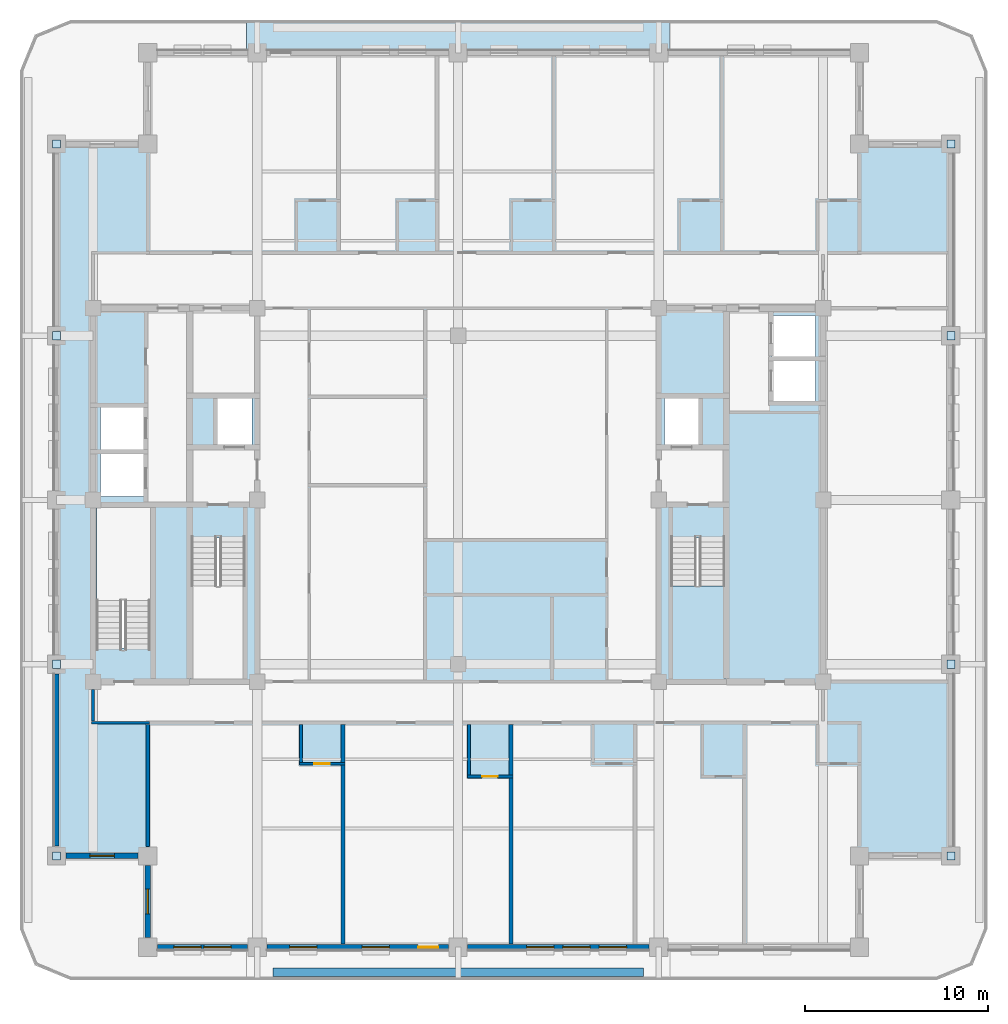
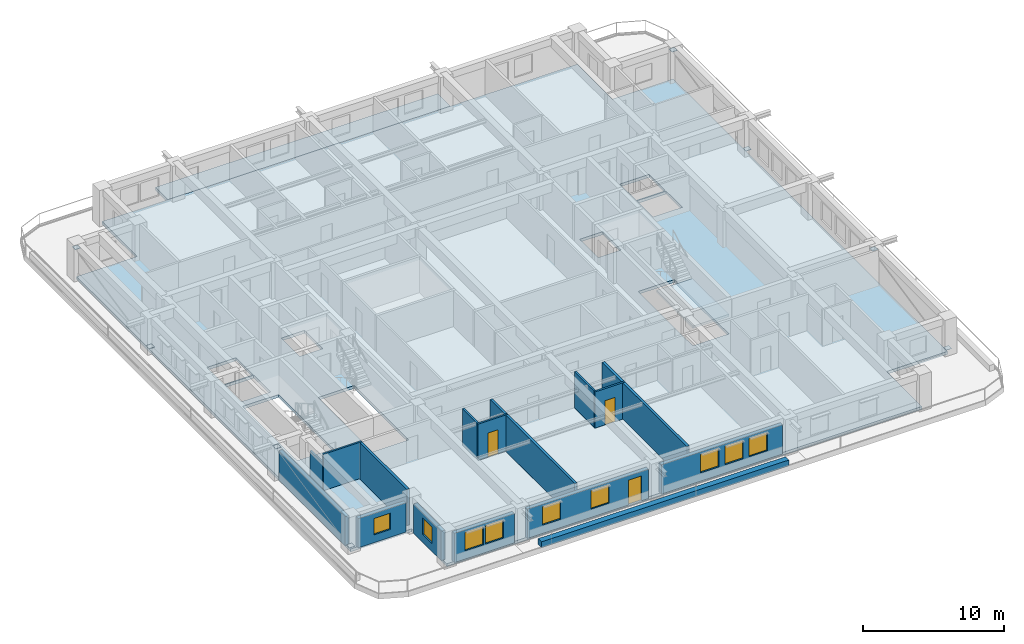
# One storey, part 2 of 14: 18 walls, 9 windows, 8 plates, 3 doors, 3 slabs, 12 openings, 1 element without a shape of its own.
"""IFC4 building model written with IfcOpenShell, lengths in metres."""

from ifc_helpers import new_model, si_unit, direction, frame, frame_2d, origin, origin_2d, place, context, subcontext, project, spatial, polyline, rectangle, outline, extrude, material, layer, layer_set, type_object, element, fill, aggregate, save


model = new_model("IFC4")

# Units and contexts
model_context = context("Model", 3, precision=1e-05, world=origin(), true_north=direction((0.0, 1.0)))
body_context = subcontext(model_context, "Body", "Model", "MODEL_VIEW")
ifc_project = project(units=[si_unit("LENGTHUNIT", "METRE"), si_unit("AREAUNIT", "SQUARE_METRE"), si_unit("VOLUMEUNIT", "CUBIC_METRE"), si_unit("PLANEANGLEUNIT", "RADIAN"), si_unit("MASSUNIT", "GRAM", prefix="KILO")], contexts=[model_context])

# Site, building, storey
site_placement = place(None, origin())
site = spatial("IfcSite", under=ifc_project, at=site_placement, CompositionType="ELEMENT")
building_placement = place(site_placement, origin())
building = spatial("IfcBuilding", under=site, at=building_placement, Name="Zulmaris Gate Convention Tower", CompositionType="ELEMENT")
storey_placement = place(building_placement, frame((0.0, 0.0, 179.659912109375)))
storey = spatial("IfcBuildingStorey", under=building, at=storey_placement, Name="L46", CompositionType="ELEMENT", Elevation=179.659912109375)

# Plates
ifc_material_1 = material(Name="Steel S460", Category="steel")
ifc_layer_1 = layer(ifc_material_1, 0.02490234375, Name="Steel S460")
ifc_layer_set_1 = layer_set([ifc_layer_1], Name="Steel S460")
plate_type = type_object("IfcPlateType", Name="NP-CAP-440", PredefinedType="USERDEFINED", material=ifc_layer_set_1)
for number, where, z_axis, x_axis, name in (
    (1, (-22.0, -19.5, 0.28759765625), (0.0, 0.0, 1.0), (1.0, 0.0, 0.0), "L46 Steel Node Plate PBR-L46-SW-W-CAP"),
    (2, (-22.0, -9.0, 2.517333984375), (0.0, 0.0, 1.0), (1.0, 0.0, 0.0), "L46 Steel Node Plate PBR-L46-SW-W-CAPB"),
    (3, (-22.0, 9.0, 0.28759765625), (0.0, 0.0, 1.0), (1.0, 0.0, 0.0), "L46 Steel Node Plate PBR-L46-NW-W-CAP"),
    (4, (-22.0, 19.5, 2.517333984375), (0.0, 0.0, 1.0), (1.0, 0.0, 0.0), "L46 Steel Node Plate PBR-L46-NW-W-CAPB"),
    (5, (27.0, -19.5, 0.28759765625), (0.0, 0.0, 1.0), (1.0, 0.0, 0.0), "L46 Steel Node Plate PBR-L46-SE-E-CAP"),
    (6, (27.0, -9.0, 2.517333984375), (0.0, 0.0, 1.0), (1.0, 0.0, 0.0), "L46 Steel Node Plate PBR-L46-SE-E-CAPB"),
    (7, (27.0, 9.0, 0.28759765625), (0.0, 0.0, 1.0), (1.0, 0.0, 0.0), "L46 Steel Node Plate PBR-L46-NE-E-CAP"),
    (8, (27.0, 19.5, 2.517333984375), (0.0, 0.0, 1.0), (1.0, 0.0, 0.0), "L46 Steel Node Plate PBR-L46-NE-E-CAPB"),
):
    element("IfcPlate", number, at=place(storey_placement, frame(where, z_axis=z_axis, x_axis=x_axis)), inside=storey, type_object=plate_type, Name=name, ObjectType="FLANGE PLATE", PredefinedType="USERDEFINED", context=body_context, shape_type="SweptSolid", body=[
        extrude(rectangle(XDim=0.43994140625, YDim=0.43994140625, at=origin_2d()), origin(), (0.0, 0.0, 1.0), 0.02490234375),
    ])

# Slabs
ifc_material_2 = material(Name="Precast concrete C50/60", Category="concrete")
ifc_layer_2 = layer(ifc_material_2, 0.260009765625, Name="Precast concrete C50/60")
ifc_layer_set_2 = layer_set([ifc_layer_2], Name="Precast concrete C50/60")
slab_type_1 = type_object("IfcSlabType", Name="SL-BAL-260", PredefinedType="FLOOR", material=ifc_layer_set_2)
slab_1_placement = place(storey_placement, frame((0.0, 0.0, -0.27490234375)))
element("IfcSlab", 9, at=slab_1_placement, inside=storey, type_object=slab_type_1, Name="L46 North Tree-Balcony Planter Slab", PredefinedType="FLOOR", context=body_context, shape_type="SweptSolid", body=[
    extrude(outline(polyline([(11.597900390625, 26.300048828125), (11.597900390625, 24.5), (-11.597900390625, 24.5), (-11.597900390625, 26.300048828125), (11.597900390625, 26.300048828125)])), origin(), (0.0, 0.0, 1.0), 0.260009765625),
])
ifc_material_3 = material(Name="Concrete C50/60", Category="concrete")
ifc_layer_3 = layer(ifc_material_3, 0.25, Name="Concrete C50/60")
ifc_layer_set_3 = layer_set([ifc_layer_3], Name="Concrete C50/60")
slab_type_2 = type_object("IfcSlabType", Name="SL-FLR-250", PredefinedType="FLOOR", material=ifc_layer_set_3)
slab_2_placement = place(storey_placement, frame((0.0, 0.0, -0.25)))
element("IfcSlab", 10, at=slab_2_placement, inside=storey, type_object=slab_type_2, Name="L46 Shifted Notched-Square Structural Floor Slab", PredefinedType="FLOOR", context=body_context, shape_type="SweptSolid", body=[
    extrude(outline(polyline([(-17.0, -24.5), (22.0, -24.5), (22.0, -19.5), (27.0, -19.5), (27.0, 19.5), (22.0, 19.5), (22.0, 24.5), (-17.0, 24.5), (-17.0, 19.5), (-22.0, 19.5), (-22.0, -19.5), (-17.0, -19.5), (-17.0, -24.5)]), holes=[polyline([(-14.6201171875, -2.080078125), (-14.6201171875, -9.85009765625), (-11.659912109375, -9.85009765625), (-11.659912109375, -2.080078125), (-14.6201171875, -2.080078125)]), polyline([(11.659912109375, -2.080078125), (11.659912109375, -9.85009765625), (14.6201171875, -9.85009765625), (14.6201171875, -2.080078125), (11.659912109375, -2.080078125)]), polyline([(-16.860107421875, -8.1201171875), (-16.860107421875, -0.35009765625), (-19.820068359375, -0.35009765625), (-19.820068359375, -8.1201171875), (-16.860107421875, -8.1201171875)]), polyline([(-13.199951171875, 3.0), (-11.300048828125, 3.0), (-11.300048828125, 5.60009765625), (-13.199951171875, 5.60009765625), (-13.199951171875, 3.0)]), polyline([(11.300048828125, 3.0), (13.199951171875, 3.0), (13.199951171875, 5.60009765625), (11.300048828125, 5.60009765625), (11.300048828125, 3.0)]), polyline([(17.199951171875, 5.39990234375), (19.60009765625, 5.39990234375), (19.60009765625, 7.699951171875), (17.199951171875, 7.699951171875), (17.199951171875, 5.39990234375)]), polyline([(17.199951171875, 7.800048828125), (19.60009765625, 7.800048828125), (19.60009765625, 10.10009765625), (17.199951171875, 10.10009765625), (17.199951171875, 7.800048828125)]), polyline([(-19.60009765625, 0.199951171875), (-17.199951171875, 0.199951171875), (-17.199951171875, 2.60009765625), (-19.60009765625, 2.60009765625), (-19.60009765625, 0.199951171875)]), polyline([(-19.60009765625, 2.699951171875), (-17.199951171875, 2.699951171875), (-17.199951171875, 5.10009765625), (-19.60009765625, 5.10009765625), (-19.60009765625, 2.699951171875)])]), origin(), (0.0, 0.0, 1.0), 0.25),
])

# Stair, slab
ifc_material_4 = material(Name="Concrete C45/55", Category="concrete")
stair_type = type_object("IfcStairType", Name="ST-CORE-DOGLEG", PredefinedType="HALF_TURN_STAIR", material=ifc_material_4)
stair_placement = place(storey_placement, origin())
stair = element("IfcStair", 11, at=stair_placement, inside=storey, type_object=stair_type, Name="L46 Core Exit Stair ST-2", PredefinedType="HALF_TURN_STAIR")
ifc_layer_4 = layer(ifc_material_4, 0.199951171875, Name="Concrete C45/55")
ifc_layer_set_4 = layer_set([ifc_layer_4], Name="Concrete C45/55")
slab_type_3 = type_object("IfcSlabType", Name="SL-LND-200", PredefinedType="LANDING", material=ifc_layer_set_4)
slab_3_placement = place(storey_placement, frame((0.0, 0.0, 1.5)))
slab_3 = element("IfcSlab", 12, at=slab_3_placement, type_object=slab_type_3, Name="ST-2 landing 1", PredefinedType="LANDING", context=body_context, shape_type="SweptSolid", body=[
    extrude(outline(polyline([(11.659912109375, -4.699951171875), (11.659912109375, -9.85009765625), (14.6201171875, -9.85009765625), (14.6201171875, -4.699951171875), (11.659912109375, -4.699951171875)])), origin(), (0.0, 0.0, 1.0), 0.199951171875),
])
aggregate(stair, [slab_3])

# Wall, opening, door
ifc_material_5 = material(Name="Gypsum Metal Stud Partition")
ifc_layer_5 = layer(ifc_material_5, 0.14990234375, Name="Gypsum Metal Stud Partition")
ifc_layer_set_5 = layer_set([ifc_layer_5], Name="Gypsum Metal Stud Partition")
wall_type_1 = type_object("IfcWallType", Name="PART-150", PredefinedType="PARTITIONING", material=ifc_layer_set_5)
wall_1_placement = place(storey_placement, frame((0.52490234375, -15.14990234375, 0.0), z_axis=(0.0, 0.0, 1.0), x_axis=(1.0, 0.0, 0.0)))
wall_1 = element("IfcWall", 13, at=wall_1_placement, inside=storey, type_object=wall_type_1, Name="WL-L46-019", PredefinedType="PARTITIONING", context=body_context, shape_type="SweptSolid", body=[
    extrude(rectangle(XDim=2.47509765625, YDim=0.14990234375, at=frame_2d((1.237548828125, 0.0))), origin(), (0.0, 0.0, 1.0), 3.14990234375),
])
opening_1_placement = place(wall_1_placement, frame((0.800048828125, 0.0, 0.0)))
opening_1 = element("IfcOpeningElement", 14, at=opening_1_placement, cuts=wall_1, Name="Opening D-17", PredefinedType="OPENING", context=body_context, shape_type="SweptSolid", body=[
    extrude(rectangle(XDim=0.85009765625, YDim=2.10009765625, at=frame_2d((0.425048828125, 1.050048828125))), frame((0.0, 0.0849609375, 0.0), z_axis=(0.0, -1.0, 0.0), x_axis=(1.0, 0.0, 0.0)), (0.0, 0.0, 1.0), 0.169921875),
])
ifc_material_6 = material(Name="Moisture-Resistant Hardwood Timber", Category="wood")
door_type_1 = type_object("IfcDoorType", Name="DR-850", OperationType="NOTDEFINED", PredefinedType="DOOR", material=ifc_material_6)
door_1_placement = place(opening_1_placement, origin())
door_1 = element("IfcDoor", 15, at=door_1_placement, inside=storey, type_object=door_type_1, Name="L46 En-Suite Door 35", OperationType="SINGLE_SWING_RIGHT", OverallHeight=2.10009765625, OverallWidth=0.85009765625, PredefinedType="DOOR", context=body_context, shape_type="SweptSolid", body=[
    extrude(rectangle(XDim=0.85009765625, YDim=2.10009765625, at=frame_2d((0.425048828125, 1.050048828125))), frame((0.0, 0.02490234375, 0.0), z_axis=(0.0, -1.0, 0.0), x_axis=(1.0, 0.0, 0.0)), (0.0, 0.0, 1.0), 0.050048828125),
])
fill(opening_1, door_1)

wall_2_placement = place(storey_placement, frame((-8.675048828125, -14.449951171875, 0.0), z_axis=(0.0, 0.0, 1.0), x_axis=(1.0, 0.0, 0.0)))
wall_2 = element("IfcWall", 16, at=wall_2_placement, inside=storey, type_object=wall_type_1, Name="WL-L46-021", PredefinedType="PARTITIONING", context=body_context, shape_type="SweptSolid", body=[
    extrude(rectangle(XDim=2.47509765625, YDim=0.14990234375, at=frame_2d((1.237548828125, 0.0))), origin(), (0.0, 0.0, 1.0), 3.14990234375),
])
opening_2_placement = place(wall_2_placement, frame((0.800048828125, 0.0, 0.0)))
opening_2 = element("IfcOpeningElement", 17, at=opening_2_placement, cuts=wall_2, Name="Opening D-17", PredefinedType="OPENING", context=body_context, shape_type="SweptSolid", body=[
    extrude(rectangle(XDim=0.85009765625, YDim=2.10009765625, at=frame_2d((0.425048828125, 1.050048828125))), frame((0.0, 0.0849609375, 0.0), z_axis=(0.0, -1.0, 0.0), x_axis=(1.0, 0.0, 0.0)), (0.0, 0.0, 1.0), 0.169921875),
])
door_2_placement = place(opening_2_placement, origin())
door_2 = element("IfcDoor", 18, at=door_2_placement, inside=storey, type_object=door_type_1, Name="L46 En-Suite Door 33", OperationType="SINGLE_SWING_RIGHT", OverallHeight=2.10009765625, OverallWidth=0.85009765625, PredefinedType="DOOR", context=body_context, shape_type="SweptSolid", body=[
    extrude(rectangle(XDim=0.85009765625, YDim=2.10009765625, at=frame_2d((0.425048828125, 1.050048828125))), frame((0.0, 0.02490234375, 0.0), z_axis=(0.0, -1.0, 0.0), x_axis=(1.0, 0.0, 0.0)), (0.0, 0.0, 1.0), 0.050048828125),
])
fill(opening_2, door_2)

# Walls
wall_3_placement = place(storey_placement, frame((-20.074951171875, -12.199951171875, 0.0), z_axis=(0.0, 0.0, 1.0), x_axis=(1.0, 0.0, 0.0)))
element("IfcWall", 19, at=wall_3_placement, inside=storey, type_object=wall_type_1, Name="WL-L46-024", PredefinedType="PARTITIONING", context=body_context, shape_type="SweptSolid", body=[
    extrude(rectangle(XDim=3.175048828125, YDim=0.14990234375, at=frame_2d((1.58740234375, 0.0))), origin(), (0.0, 0.0, 1.0), 3.14990234375),
])
wall_4_placement = place(storey_placement, frame((-20.0, -12.1220703125, 0.0), z_axis=(0.0, 0.0, 1.0), x_axis=(0.0, 1.0, 0.0)))
element("IfcWall", 20, at=wall_4_placement, inside=storey, type_object=wall_type_1, Name="WL-L46-075", PredefinedType="PARTITIONING", context=body_context, shape_type="SweptSolid", body=[
    extrude(rectangle(XDim=1.740966796875, YDim=0.14990234375, at=frame_2d((0.87060546875, 0.0))), origin(), (0.0, 0.0, 1.0), 2.341796875),
])
wall_5_placement = place(storey_placement, frame((-8.60009765625, -14.3720703125, 0.0), z_axis=(0.0, 0.0, 1.0), x_axis=(0.0, 1.0, 0.0)))
element("IfcWall", 21, at=wall_5_placement, inside=storey, type_object=wall_type_1, Name="WL-L46-081", PredefinedType="PARTITIONING", context=body_context, shape_type="SweptSolid", body=[
    extrude(rectangle(XDim=2.069091796875, YDim=0.14990234375, at=frame_2d((1.03466796875, 0.0))), origin(), (0.0, 0.0, 1.0), 3.14990234375),
])
wall_6_placement = place(storey_placement, frame((0.60009765625, -15.072021484375, 0.0), z_axis=(0.0, 0.0, 1.0), x_axis=(0.0, 1.0, 0.0)))
element("IfcWall", 22, at=wall_6_placement, inside=storey, type_object=wall_type_1, Name="WL-L46-097", PredefinedType="PARTITIONING", context=body_context, shape_type="SweptSolid", body=[
    extrude(rectangle(XDim=2.76904296875, YDim=0.14990234375, at=frame_2d((1.384521484375, 0.0))), origin(), (0.0, 0.0, 1.0), 3.14990234375),
])
ifc_material_7 = material(Name="Autoclaved Aerated Concrete Block and Plasterboard", Category="concrete")
ifc_layer_6 = layer(ifc_material_7, 0.199951171875, Name="Autoclaved Aerated Concrete Block and Plasterboard")
ifc_layer_set_6 = layer_set([ifc_layer_6], Name="Autoclaved Aerated Concrete Block and Plasterboard")
wall_type_2 = type_object("IfcWallType", Name="PART-200", PredefinedType="PARTITIONING", material=ifc_layer_set_6)
wall_7_placement = place(storey_placement, frame((-17.0, -18.993896484375, 0.0), z_axis=(0.0, 0.0, 1.0), x_axis=(0.0, 1.0, 0.0)))
element("IfcWall", 23, at=wall_7_placement, inside=storey, type_object=wall_type_2, Name="WL-L46-078", PredefinedType="PARTITIONING", context=body_context, shape_type="SweptSolid", body=[
    extrude(rectangle(XDim=6.69091796875, YDim=0.199951171875, at=frame_2d((3.345458984375, 0.0))), origin(), (0.0, 0.0, 1.0), 3.14990234375),
])
wall_8_placement = place(storey_placement, frame((-6.300048828125, -24.3349609375, 0.0), z_axis=(0.0, 0.0, 1.0), x_axis=(0.0, 1.0, 0.0)))
element("IfcWall", 24, at=wall_8_placement, inside=storey, type_object=wall_type_2, Name="WL-L46-087", PredefinedType="PARTITIONING", context=body_context, shape_type="SweptSolid", body=[
    extrude(rectangle(XDim=9.806884765625, YDim=0.199951171875, at=frame_2d((4.9033203125, 0.0))), origin(), (0.0, 0.0, 1.0), 3.14990234375),
])
wall_9_placement = place(storey_placement, frame((-6.300048828125, -14.3720703125, 0.0), z_axis=(0.0, 0.0, 1.0), x_axis=(0.0, 1.0, 0.0)))
element("IfcWall", 25, at=wall_9_placement, inside=storey, type_object=wall_type_2, Name="WL-L46-088", PredefinedType="PARTITIONING", context=body_context, shape_type="SweptSolid", body=[
    extrude(rectangle(XDim=2.069091796875, YDim=0.199951171875, at=frame_2d((1.03466796875, 0.0))), origin(), (0.0, 0.0, 1.0), 3.14990234375),
])
wall_10_placement = place(storey_placement, frame((2.89990234375, -24.3349609375, 0.0), z_axis=(0.0, 0.0, 1.0), x_axis=(0.0, 1.0, 0.0)))
element("IfcWall", 26, at=wall_10_placement, inside=storey, type_object=wall_type_2, Name="WL-L46-098", PredefinedType="PARTITIONING", context=body_context, shape_type="SweptSolid", body=[
    extrude(rectangle(XDim=9.10693359375, YDim=0.199951171875, at=frame_2d((4.553466796875, 0.0))), origin(), (0.0, 0.0, 1.0), 3.14990234375),
])
wall_11_placement = place(storey_placement, frame((2.89990234375, -15.072021484375, 0.0), z_axis=(0.0, 0.0, 1.0), x_axis=(0.0, 1.0, 0.0)))
element("IfcWall", 27, at=wall_11_placement, inside=storey, type_object=wall_type_2, Name="WL-L46-099", PredefinedType="PARTITIONING", context=body_context, shape_type="SweptSolid", body=[
    extrude(rectangle(XDim=2.76904296875, YDim=0.199951171875, at=frame_2d((1.384521484375, 0.0))), origin(), (0.0, 0.0, 1.0), 3.14990234375),
])
ifc_material_8 = material(Name="Botanical Green Glazed Precast Concrete C40/50", Category="concrete")
ifc_layer_7 = layer(ifc_material_8, 0.419921875, Name="Botanical Green Glazed Precast Concrete C40/50")
ifc_layer_set_7 = layer_set([ifc_layer_7], Name="Botanical Green Glazed Precast Concrete C40/50")
wall_type_3 = type_object("IfcWallType", Name="PLANTER-CURB-200", PredefinedType="PARAPET", material=ifc_layer_set_7)
wall_12_placement = place(storey_placement, frame((-10.14990234375, -25.8798828125, -0.0400390625), z_axis=(0.0, 0.0, 1.0), x_axis=(1.0, 0.0, 0.0)))
element("IfcWall", 28, at=wall_12_placement, inside=storey, type_object=wall_type_3, Name="L46 Full-Length Balcony Tree Planter Trough", PredefinedType="PARAPET", context=body_context, shape_type="SweptSolid", body=[
    extrude(rectangle(XDim=20.2998046875, YDim=0.47998046875, at=frame_2d((10.14990234375, 0.0))), origin(), (0.0, 0.0, 1.0), 0.52001953125),
])

# Wall, opening, window
ifc_material_9 = material(Name="Precast concrete C40/50", Category="concrete")
ifc_layer_8 = layer(ifc_material_9, 0.300048828125, Name="Precast concrete C40/50")
ifc_layer_set_8 = layer_set([ifc_layer_8], Name="Precast concrete C40/50")
wall_type_4 = type_object("IfcWallType", Name="PRECAST-PIER-300", PredefinedType="STANDARD", material=ifc_layer_set_8)
wall_13_placement = place(storey_placement, frame((-21.469970703125, -19.5, 0.0), z_axis=(0.0, 0.0, 1.0), x_axis=(1.0, 0.0, 0.0)))
wall_13 = element("IfcWall", 29, at=wall_13_placement, inside=storey, type_object=wall_type_4, Name="EW-L46-NOTCH-SW1_0", PredefinedType="STANDARD", context=body_context, shape_type="SweptSolid", body=[
    extrude(rectangle(XDim=3.93994140625, YDim=0.300048828125, at=frame_2d((1.969970703125, 0.0))), origin(), (0.0, 0.0, 1.0), 2.5419921875),
])
opening_3_placement = place(wall_13_placement, frame((1.294921875, 0.0, 0.679931640625)))
opening_3 = element("IfcOpeningElement", 30, at=opening_3_placement, cuts=wall_13, Name="Opening W-10", PredefinedType="OPENING", context=body_context, shape_type="SweptSolid", body=[
    extrude(rectangle(XDim=1.35009765625, YDim=1.419921875, at=frame_2d((0.675048828125, 0.7099609375))), frame((0.0, 0.16015625, 0.0), z_axis=(0.0, -1.0, 0.0), x_axis=(1.0, 0.0, 0.0)), (0.0, 0.0, 1.0), 0.320068359375),
])
ifc_material_10 = material(Name="Low-E Laminated Double Glazing in Aluminium Frame", Category="aluminium")
window_type_1 = type_object("IfcWindowType", Name="WIN-1350x2000", PartitioningType="SINGLE_PANEL", PredefinedType="WINDOW", material=ifc_material_10)
window_1_placement = place(opening_3_placement, origin())
window_1 = element("IfcWindow", 31, at=window_1_placement, inside=storey, type_object=window_type_1, Name="WN-EW-L46-NOTCH-SW1_0", OverallHeight=1.419921875, OverallWidth=1.35009765625, PartitioningType="SINGLE_PANEL", PredefinedType="WINDOW", context=body_context, shape_type="SweptSolid", body=[
    extrude(rectangle(XDim=1.35009765625, YDim=1.419921875, at=frame_2d((0.675048828125, 0.7099609375))), frame((0.0, 0.030029296875, 0.0), z_axis=(0.0, -1.0, 0.0), x_axis=(1.0, 0.0, 0.0)), (0.0, 0.0, 1.0), 0.06005859375),
])
fill(opening_3, window_1)

wall_14_placement = place(storey_placement, frame((-17.0, -20.030029296875, 0.0), z_axis=(0.0, 0.0, 1.0), x_axis=(0.0, -1.0, 0.0)))
wall_14 = element("IfcWall", 32, at=wall_14_placement, inside=storey, type_object=wall_type_4, Name="EW-L46-NOTCH-SW2_0", PredefinedType="STANDARD", context=body_context, shape_type="SweptSolid", body=[
    extrude(rectangle(XDim=3.93994140625, YDim=0.300048828125, at=frame_2d((1.969970703125, 0.0))), origin(), (0.0, 0.0, 1.0), 2.5419921875),
])
opening_4_placement = place(wall_14_placement, frame((1.294921875, 0.0, 0.679931640625)))
opening_4 = element("IfcOpeningElement", 33, at=opening_4_placement, cuts=wall_14, Name="Opening W-10", PredefinedType="OPENING", context=body_context, shape_type="SweptSolid", body=[
    extrude(rectangle(XDim=1.35009765625, YDim=1.419921875, at=frame_2d((0.675048828125, 0.7099609375))), frame((0.0, 0.16015625, 0.0), z_axis=(0.0, -1.0, 0.0), x_axis=(1.0, 0.0, 0.0)), (0.0, 0.0, 1.0), 0.320068359375),
])
window_2_placement = place(opening_4_placement, origin())
window_2 = element("IfcWindow", 34, at=window_2_placement, inside=storey, type_object=window_type_1, Name="WN-EW-L46-NOTCH-SW2_0", OverallHeight=1.419921875, OverallWidth=1.35009765625, PartitioningType="SINGLE_PANEL", PredefinedType="WINDOW", context=body_context, shape_type="SweptSolid", body=[
    extrude(rectangle(XDim=1.35009765625, YDim=1.419921875, at=frame_2d((0.675048828125, 0.7099609375))), frame((0.0, 0.030029296875, 0.0), z_axis=(0.0, -1.0, 0.0), x_axis=(1.0, 0.0, 0.0)), (0.0, 0.0, 1.0), 0.06005859375),
])
fill(opening_4, window_2)

# Wall, openings, windows
wall_15_placement = place(storey_placement, frame((-16.469970703125, -24.5, 0.0), z_axis=(0.0, 0.0, 1.0), x_axis=(1.0, 0.0, 0.0)))
wall_15 = element("IfcWall", 35, at=wall_15_placement, inside=storey, type_object=wall_type_4, Name="EW-L46-S-0_0", PredefinedType="STANDARD", context=body_context, shape_type="SweptSolid", body=[
    extrude(rectangle(XDim=4.93994140625, YDim=0.300048828125, at=frame_2d((2.469970703125, 0.0))), origin(), (0.0, 0.0, 1.0), 2.5419921875),
])
opening_5_placement = place(wall_15_placement, frame((0.89697265625, 0.0, 0.719970703125)))
opening_5 = element("IfcOpeningElement", 36, at=opening_5_placement, cuts=wall_15, Name="Opening W-03", PredefinedType="OPENING", context=body_context, shape_type="SweptSolid", body=[
    extrude(rectangle(XDim=1.5, YDim=1.60009765625, at=frame_2d((0.75, 0.800048828125))), frame((0.0, 0.16015625, 0.0), z_axis=(0.0, -1.0, 0.0), x_axis=(1.0, 0.0, 0.0)), (0.0, 0.0, 1.0), 0.320068359375),
])
opening_6_placement = place(wall_15_placement, frame((2.54296875, 0.0, 0.719970703125)))
opening_6 = element("IfcOpeningElement", 37, at=opening_6_placement, cuts=wall_15, Name="Opening W-03", PredefinedType="OPENING", context=body_context, shape_type="SweptSolid", body=[
    extrude(rectangle(XDim=1.5, YDim=1.60009765625, at=frame_2d((0.75, 0.800048828125))), frame((0.0, 0.16015625, 0.0), z_axis=(0.0, -1.0, 0.0), x_axis=(1.0, 0.0, 0.0)), (0.0, 0.0, 1.0), 0.320068359375),
])
window_type_2 = type_object("IfcWindowType", Name="WIN-1500x2100", PartitioningType="SINGLE_PANEL", PredefinedType="WINDOW", material=ifc_material_10)
window_3_placement = place(opening_5_placement, origin())
window_3 = element("IfcWindow", 38, at=window_3_placement, inside=storey, type_object=window_type_2, Name="WN-EW-L46-S-0_0-1", OverallHeight=1.60009765625, OverallWidth=1.5, PartitioningType="SINGLE_PANEL", PredefinedType="WINDOW", context=body_context, shape_type="SweptSolid", body=[
    extrude(rectangle(XDim=1.5, YDim=1.60009765625, at=frame_2d((0.75, 0.800048828125))), frame((0.0, 0.030029296875, 0.0), z_axis=(0.0, -1.0, 0.0), x_axis=(1.0, 0.0, 0.0)), (0.0, 0.0, 1.0), 0.06005859375),
])
fill(opening_5, window_3)
window_4_placement = place(opening_6_placement, origin())
window_4 = element("IfcWindow", 39, at=window_4_placement, inside=storey, type_object=window_type_2, Name="WN-EW-L46-S-0_0-2", OverallHeight=1.60009765625, OverallWidth=1.5, PartitioningType="SINGLE_PANEL", PredefinedType="WINDOW", context=body_context, shape_type="SweptSolid", body=[
    extrude(rectangle(XDim=1.5, YDim=1.60009765625, at=frame_2d((0.75, 0.800048828125))), frame((0.0, 0.030029296875, 0.0), z_axis=(0.0, -1.0, 0.0), x_axis=(1.0, 0.0, 0.0)), (0.0, 0.0, 1.0), 0.06005859375),
])
fill(opening_6, window_4)

# Wall, openings, door, windows
wall_16_placement = place(storey_placement, frame((-10.469970703125, -24.5, 0.0), z_axis=(0.0, 0.0, 1.0), x_axis=(1.0, 0.0, 0.0)))
wall_16 = element("IfcWall", 40, at=wall_16_placement, inside=storey, type_object=wall_type_4, Name="EW-L46-S-1_0", PredefinedType="STANDARD", context=body_context, shape_type="SweptSolid", body=[
    extrude(rectangle(XDim=9.93994140625, YDim=0.300048828125, at=frame_2d((4.969970703125, 0.0))), origin(), (0.0, 0.0, 1.0), 2.5419921875),
])
opening_7_placement = place(wall_16_placement, frame((8.2880859375, 0.0, 0.0)))
opening_7 = element("IfcOpeningElement", 41, at=opening_7_placement, cuts=wall_16, Name="Opening D-04", PredefinedType="OPENING", context=body_context, shape_type="SweptSolid", body=[
    extrude(rectangle(XDim=1.10009765625, YDim=2.14990234375, at=frame_2d((0.550048828125, 1.074951171875))), frame((0.0, 0.16015625, 0.0), z_axis=(0.0, -1.0, 0.0), x_axis=(1.0, 0.0, 0.0)), (0.0, 0.0, 1.0), 0.320068359375),
])
opening_8_placement = place(wall_16_placement, frame((1.238037109375, 0.0, 0.719970703125)))
opening_8 = element("IfcOpeningElement", 42, at=opening_8_placement, cuts=wall_16, Name="Opening W-03", PredefinedType="OPENING", context=body_context, shape_type="SweptSolid", body=[
    extrude(rectangle(XDim=1.5, YDim=1.60009765625, at=frame_2d((0.75, 0.800048828125))), frame((0.0, 0.16015625, 0.0), z_axis=(0.0, -1.0, 0.0), x_axis=(1.0, 0.0, 0.0)), (0.0, 0.0, 1.0), 0.320068359375),
])
opening_9_placement = place(wall_16_placement, frame((5.214111328125, 0.0, 0.719970703125)))
opening_9 = element("IfcOpeningElement", 43, at=opening_9_placement, cuts=wall_16, Name="Opening W-03", PredefinedType="OPENING", context=body_context, shape_type="SweptSolid", body=[
    extrude(rectangle(XDim=1.5, YDim=1.60009765625, at=frame_2d((0.75, 0.800048828125))), frame((0.0, 0.16015625, 0.0), z_axis=(0.0, -1.0, 0.0), x_axis=(1.0, 0.0, 0.0)), (0.0, 0.0, 1.0), 0.320068359375),
])
ifc_material_11 = material(Name="Anodised Aluminium and Laminated Glass", Category="aluminium")
door_type_2 = type_object("IfcDoorType", Name="ED-1100", OperationType="SINGLE_SWING_RIGHT", PredefinedType="DOOR", material=ifc_material_11)
door_3_placement = place(opening_7_placement, origin())
door_3 = element("IfcDoor", 44, at=door_3_placement, inside=storey, type_object=door_type_2, Name="L46 S Planted Terrace Door", OperationType="SINGLE_SWING_RIGHT", OverallHeight=2.14990234375, OverallWidth=1.10009765625, PredefinedType="DOOR", context=body_context, shape_type="SweptSolid", body=[
    extrude(rectangle(XDim=1.10009765625, YDim=2.14990234375, at=frame_2d((0.550048828125, 1.074951171875))), frame((0.0, 0.02490234375, 0.0), z_axis=(0.0, -1.0, 0.0), x_axis=(1.0, 0.0, 0.0)), (0.0, 0.0, 1.0), 0.050048828125),
])
fill(opening_7, door_3)
window_5_placement = place(opening_8_placement, origin())
window_5 = element("IfcWindow", 45, at=window_5_placement, inside=storey, type_object=window_type_2, Name="WN-EW-L46-S-1_0-1", OverallHeight=1.60009765625, OverallWidth=1.5, PartitioningType="SINGLE_PANEL", PredefinedType="WINDOW", context=body_context, shape_type="SweptSolid", body=[
    extrude(rectangle(XDim=1.5, YDim=1.60009765625, at=frame_2d((0.75, 0.800048828125))), frame((0.0, 0.030029296875, 0.0), z_axis=(0.0, -1.0, 0.0), x_axis=(1.0, 0.0, 0.0)), (0.0, 0.0, 1.0), 0.06005859375),
])
fill(opening_8, window_5)
window_6_placement = place(opening_9_placement, origin())
window_6 = element("IfcWindow", 46, at=window_6_placement, inside=storey, type_object=window_type_2, Name="WN-EW-L46-S-1_0-3", OverallHeight=1.60009765625, OverallWidth=1.5, PartitioningType="SINGLE_PANEL", PredefinedType="WINDOW", context=body_context, shape_type="SweptSolid", body=[
    extrude(rectangle(XDim=1.5, YDim=1.60009765625, at=frame_2d((0.75, 0.800048828125))), frame((0.0, 0.030029296875, 0.0), z_axis=(0.0, -1.0, 0.0), x_axis=(1.0, 0.0, 0.0)), (0.0, 0.0, 1.0), 0.06005859375),
])
fill(opening_9, window_6)

# Wall, openings, windows
wall_17_placement = place(storey_placement, frame((0.530029296875, -24.5, 0.0), z_axis=(0.0, 0.0, 1.0), x_axis=(1.0, 0.0, 0.0)))
wall_17 = element("IfcWall", 47, at=wall_17_placement, inside=storey, type_object=wall_type_4, Name="EW-L46-S-2_0", PredefinedType="STANDARD", context=body_context, shape_type="SweptSolid", body=[
    extrude(rectangle(XDim=9.93994140625, YDim=0.300048828125, at=frame_2d((4.969970703125, 0.0))), origin(), (0.0, 0.0, 1.0), 2.5419921875),
])
opening_10_placement = place(wall_17_placement, frame((3.22607421875, 0.0, 0.719970703125)))
opening_10 = element("IfcOpeningElement", 48, at=opening_10_placement, cuts=wall_17, Name="Opening W-03", PredefinedType="OPENING", context=body_context, shape_type="SweptSolid", body=[
    extrude(rectangle(XDim=1.5, YDim=1.60009765625, at=frame_2d((0.75, 0.800048828125))), frame((0.0, 0.16015625, 0.0), z_axis=(0.0, -1.0, 0.0), x_axis=(1.0, 0.0, 0.0)), (0.0, 0.0, 1.0), 0.320068359375),
])
opening_11_placement = place(wall_17_placement, frame((5.214111328125, 0.0, 0.719970703125)))
opening_11 = element("IfcOpeningElement", 49, at=opening_11_placement, cuts=wall_17, Name="Opening W-03", PredefinedType="OPENING", context=body_context, shape_type="SweptSolid", body=[
    extrude(rectangle(XDim=1.5, YDim=1.60009765625, at=frame_2d((0.75, 0.800048828125))), frame((0.0, 0.16015625, 0.0), z_axis=(0.0, -1.0, 0.0), x_axis=(1.0, 0.0, 0.0)), (0.0, 0.0, 1.0), 0.320068359375),
])
opening_12_placement = place(wall_17_placement, frame((7.201904296875, 0.0, 0.719970703125)))
opening_12 = element("IfcOpeningElement", 50, at=opening_12_placement, cuts=wall_17, Name="Opening W-03", PredefinedType="OPENING", context=body_context, shape_type="SweptSolid", body=[
    extrude(rectangle(XDim=1.5, YDim=1.60009765625, at=frame_2d((0.75, 0.800048828125))), frame((0.0, 0.16015625, 0.0), z_axis=(0.0, -1.0, 0.0), x_axis=(1.0, 0.0, 0.0)), (0.0, 0.0, 1.0), 0.320068359375),
])
window_7_placement = place(opening_10_placement, origin())
window_7 = element("IfcWindow", 51, at=window_7_placement, inside=storey, type_object=window_type_2, Name="WN-EW-L46-S-2_0-2", OverallHeight=1.60009765625, OverallWidth=1.5, PartitioningType="SINGLE_PANEL", PredefinedType="WINDOW", context=body_context, shape_type="SweptSolid", body=[
    extrude(rectangle(XDim=1.5, YDim=1.60009765625, at=frame_2d((0.75, 0.800048828125))), frame((0.0, 0.030029296875, 0.0), z_axis=(0.0, -1.0, 0.0), x_axis=(1.0, 0.0, 0.0)), (0.0, 0.0, 1.0), 0.06005859375),
])
fill(opening_10, window_7)
window_8_placement = place(opening_11_placement, origin())
window_8 = element("IfcWindow", 52, at=window_8_placement, inside=storey, type_object=window_type_2, Name="WN-EW-L46-S-2_0-3", OverallHeight=1.60009765625, OverallWidth=1.5, PartitioningType="SINGLE_PANEL", PredefinedType="WINDOW", context=body_context, shape_type="SweptSolid", body=[
    extrude(rectangle(XDim=1.5, YDim=1.60009765625, at=frame_2d((0.75, 0.800048828125))), frame((0.0, 0.030029296875, 0.0), z_axis=(0.0, -1.0, 0.0), x_axis=(1.0, 0.0, 0.0)), (0.0, 0.0, 1.0), 0.06005859375),
])
fill(opening_11, window_8)
window_9_placement = place(opening_12_placement, origin())
window_9 = element("IfcWindow", 53, at=window_9_placement, inside=storey, type_object=window_type_2, Name="WN-EW-L46-S-2_0-4", OverallHeight=1.60009765625, OverallWidth=1.5, PartitioningType="SINGLE_PANEL", PredefinedType="WINDOW", context=body_context, shape_type="SweptSolid", body=[
    extrude(rectangle(XDim=1.5, YDim=1.60009765625, at=frame_2d((0.75, 0.800048828125))), frame((0.0, 0.030029296875, 0.0), z_axis=(0.0, -1.0, 0.0), x_axis=(1.0, 0.0, 0.0)), (0.0, 0.0, 1.0), 0.06005859375),
])
fill(opening_12, window_9)

# Wall
wall_18_placement = place(storey_placement, frame((-22.0, -9.530029296875, 0.0), z_axis=(0.0, 0.0, 1.0), x_axis=(0.0, -1.0, 0.0)))
element("IfcWall", 54, at=wall_18_placement, inside=storey, type_object=wall_type_4, Name="EW-L46-W-0_0", PredefinedType="STANDARD", context=body_context, shape_type="SweptSolid", body=[
    extrude(rectangle(XDim=9.43994140625, YDim=0.300048828125, at=frame_2d((4.719970703125, 0.0))), origin(), (0.0, 0.0, 1.0), 2.5419921875),
])

save(model, "model.ifc")
